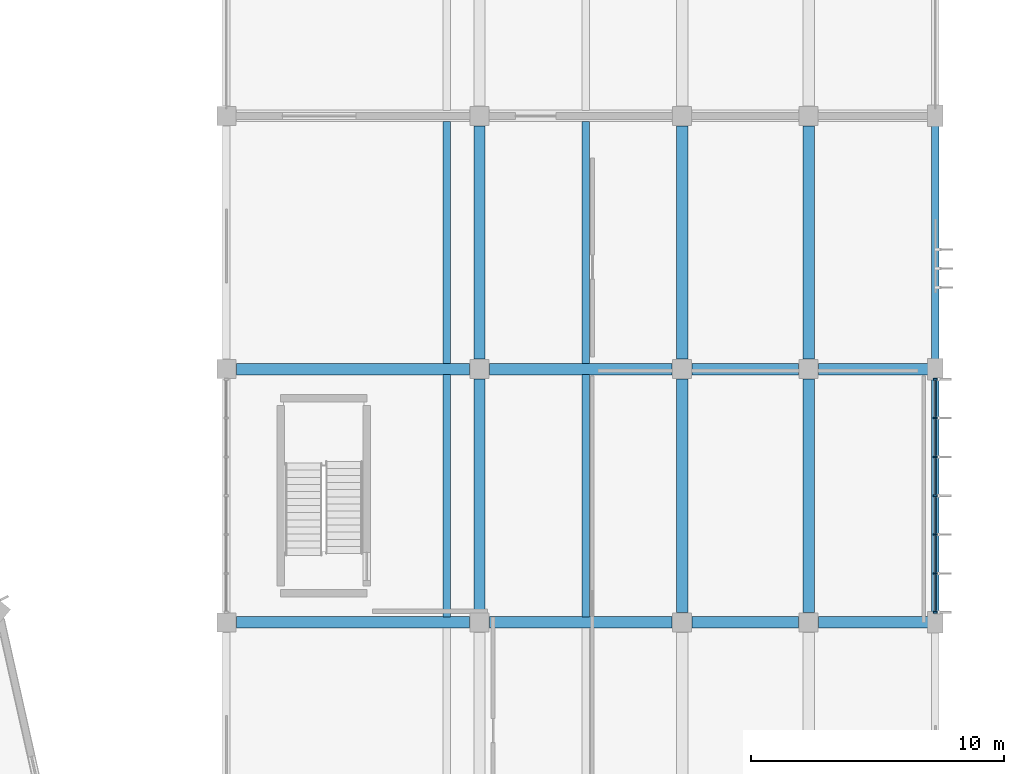
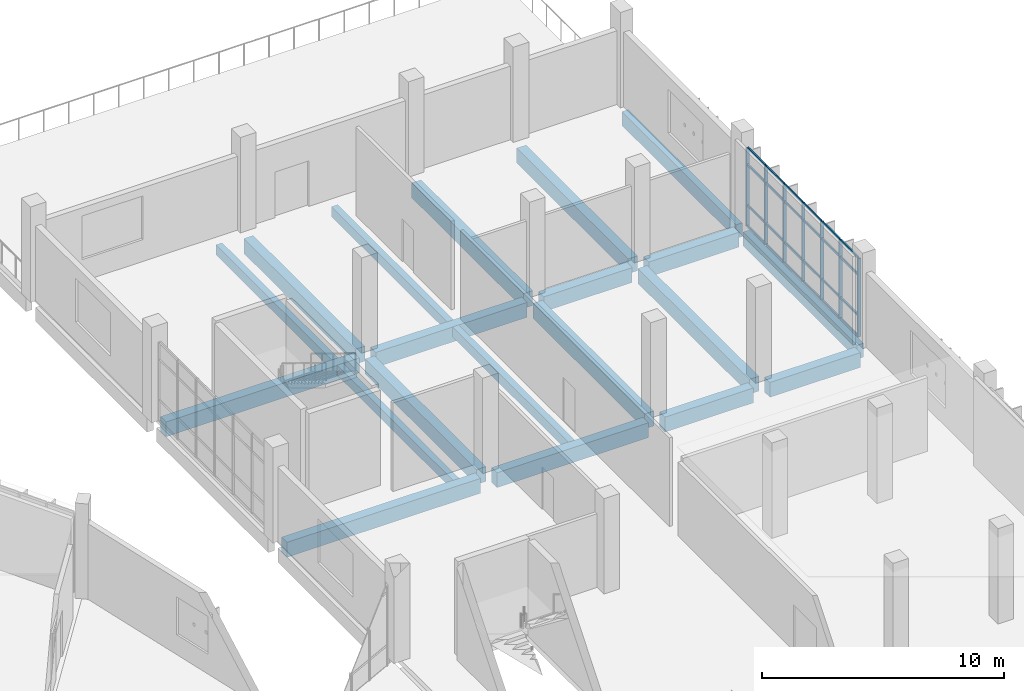
# One storey, part 76 of 179: 31 members, 20 beams, 1 element without a shape of its own.
"""IFC4 building model written with IfcOpenShell, lengths in metres."""

from ifc_helpers import new_model, si_unit, direction, frame, origin, origin_2d, place, context, subcontext, project, spatial, rectangle, extrude, material, layer, layer_set, material_profile, profile_set, type_object, element, aggregate, save


model = new_model("IFC4")

# Units and contexts
model_context = context("Model", 3, precision=1e-05, world=origin(), true_north=direction((0.0, 1.0)))
body_context = subcontext(model_context, "Body", "Model", "MODEL_VIEW")
ifc_project = project(units=[si_unit("LENGTHUNIT", "METRE"), si_unit("AREAUNIT", "SQUARE_METRE"), si_unit("VOLUMEUNIT", "CUBIC_METRE"), si_unit("PLANEANGLEUNIT", "RADIAN"), si_unit("MASSUNIT", "GRAM", prefix="KILO")], contexts=[model_context])

# Site, building, storey
site_placement = place(None, origin())
site = spatial("IfcSite", under=ifc_project, at=site_placement, CompositionType="ELEMENT")
building_placement = place(site_placement, origin())
building = spatial("IfcBuilding", under=site, at=building_placement, Name="Corvandel Quay Wholesale Market", CompositionType="ELEMENT")
storey_placement = place(building_placement, frame((0.0, 0.0, 6.0)))
storey = spatial("IfcBuildingStorey", under=building, at=storey_placement, Name="L01", CompositionType="ELEMENT", Elevation=6.0)

# Curtain wall, members
ifc_material_1 = material(Name="Bronze anodised aluminium and low-E insulated glazing", Category="aluminium")
ifc_layer = layer(ifc_material_1, 0.14990234375)
ifc_layer_set = layer_set([ifc_layer], Name="Bronze anodised aluminium and low-E insulated glazing")
curtain_wall_type = type_object("IfcCurtainWallType", Name="Stick Curtain Wall System CW20 H4800", PredefinedType="NOTDEFINED", material=ifc_layer_set)
curtain_wall_placement = place(storey_placement, origin())
curtain_wall = element("IfcCurtainWall", 1, at=curtain_wall_placement, inside=storey, type_object=curtain_wall_type, Name="Curtain Wall CW-0154", PredefinedType="NOTDEFINED")
ifc_material_2 = material(Name="Anodised aluminium 6063-T6", Category="aluminium")
ifc_material_profile_1 = material_profile(ifc_material_2, rectangle(XDim=0.06494140625, YDim=0.14990234375, at=origin_2d()), Name="ALU-MUL-65x150")
ifc_profile_set_1 = profile_set([ifc_material_profile_1], Name="Anodised aluminium 6063-T6")
member_type_1 = type_object("IfcMemberType", Name="Curtain Wall Mullion ML02 65x150", PredefinedType="MULLION", material=ifc_profile_set_1)
member_1_placement = place(storey_placement, frame((248.0, 80.39990234375, 0.0), z_axis=(0.0, 0.0, 1.0), x_axis=(0.0, 1.0, 0.0)))
member_1 = element("IfcMember", 2, at=member_1_placement, type_object=member_type_1, Name="Mullion CW-0154-M00", PredefinedType="MULLION", context=body_context, shape_type="SweptSolid", body=[
    extrude(rectangle(XDim=0.06494140625, YDim=0.14990234375, at=origin_2d()), origin(), (0.0, 0.0, 1.0), 3.949951171875),
])
member_2_placement = place(storey_placement, frame((248.0, 81.933349609375, 0.0), z_axis=(0.0, 0.0, 1.0), x_axis=(0.0, 1.0, 0.0)))
member_2 = element("IfcMember", 3, at=member_2_placement, type_object=member_type_1, Name="Mullion CW-0154-M01", PredefinedType="MULLION", context=body_context, shape_type="SweptSolid", body=[
    extrude(rectangle(XDim=0.06494140625, YDim=0.14990234375, at=origin_2d()), origin(), (0.0, 0.0, 1.0), 3.949951171875),
])
member_3_placement = place(storey_placement, frame((248.0, 83.466796875, 0.0), z_axis=(0.0, 0.0, 1.0), x_axis=(0.0, 1.0, 0.0)))
member_3 = element("IfcMember", 4, at=member_3_placement, type_object=member_type_1, Name="Mullion CW-0154-M02", PredefinedType="MULLION", context=body_context, shape_type="SweptSolid", body=[
    extrude(rectangle(XDim=0.06494140625, YDim=0.14990234375, at=origin_2d()), origin(), (0.0, 0.0, 1.0), 3.949951171875),
])
member_4_placement = place(storey_placement, frame((248.0, 85.0, 0.0), z_axis=(0.0, 0.0, 1.0), x_axis=(0.0, 1.0, 0.0)))
member_4 = element("IfcMember", 5, at=member_4_placement, type_object=member_type_1, Name="Mullion CW-0154-M03", PredefinedType="MULLION", context=body_context, shape_type="SweptSolid", body=[
    extrude(rectangle(XDim=0.06494140625, YDim=0.14990234375, at=origin_2d()), origin(), (0.0, 0.0, 1.0), 3.949951171875),
])
member_5_placement = place(storey_placement, frame((248.0, 86.533203125, 0.0), z_axis=(0.0, 0.0, 1.0), x_axis=(0.0, 1.0, 0.0)))
member_5 = element("IfcMember", 6, at=member_5_placement, type_object=member_type_1, Name="Mullion CW-0154-M04", PredefinedType="MULLION", context=body_context, shape_type="SweptSolid", body=[
    extrude(rectangle(XDim=0.06494140625, YDim=0.14990234375, at=origin_2d()), origin(), (0.0, 0.0, 1.0), 3.949951171875),
])
member_6_placement = place(storey_placement, frame((248.0, 88.066650390625, 0.0), z_axis=(0.0, 0.0, 1.0), x_axis=(0.0, 1.0, 0.0)))
member_6 = element("IfcMember", 7, at=member_6_placement, type_object=member_type_1, Name="Mullion CW-0154-M05", PredefinedType="MULLION", context=body_context, shape_type="SweptSolid", body=[
    extrude(rectangle(XDim=0.06494140625, YDim=0.14990234375, at=origin_2d()), origin(), (0.0, 0.0, 1.0), 3.949951171875),
])
member_7_placement = place(storey_placement, frame((248.0, 89.60009765625, 0.0), z_axis=(0.0, 0.0, 1.0), x_axis=(0.0, 1.0, 0.0)))
member_7 = element("IfcMember", 8, at=member_7_placement, type_object=member_type_1, Name="Mullion CW-0154-M06", PredefinedType="MULLION", context=body_context, shape_type="SweptSolid", body=[
    extrude(rectangle(XDim=0.06494140625, YDim=0.14990234375, at=origin_2d()), origin(), (0.0, 0.0, 1.0), 3.949951171875),
])
ifc_material_profile_2 = material_profile(ifc_material_2, rectangle(XDim=0.06005859375, YDim=0.110107421875, at=origin_2d()), Name="ALU-TRN-60x110")
ifc_profile_set_2 = profile_set([ifc_material_profile_2], Name="Anodised aluminium 6063-T6")
member_type_2 = type_object("IfcMemberType", Name="Curtain Wall Transom TR02 60x110", PredefinedType="USERDEFINED", material=ifc_profile_set_2)
member_8_placement = place(storey_placement, frame((248.0, 80.4326171875, 0.0), z_axis=(0.0, 1.0, 0.0), x_axis=(-1.0, 0.0, 0.0)))
member_8 = element("IfcMember", 9, at=member_8_placement, type_object=member_type_2, Name="Transom CW-0154-T00-0", ObjectType="TRANSOM", PredefinedType="USERDEFINED", context=body_context, shape_type="SweptSolid", body=[
    extrude(rectangle(XDim=0.06005859375, YDim=0.110107421875, at=origin_2d()), origin(), (0.0, 0.0, 1.0), 1.46826171875),
])
member_9_placement = place(storey_placement, frame((248.0, 80.4326171875, 1.050048828125), z_axis=(0.0, 1.0, 0.0), x_axis=(-1.0, 0.0, 0.0)))
member_9 = element("IfcMember", 10, at=member_9_placement, type_object=member_type_2, Name="Transom CW-0154-T00-1", ObjectType="TRANSOM", PredefinedType="USERDEFINED", context=body_context, shape_type="SweptSolid", body=[
    extrude(rectangle(XDim=0.06005859375, YDim=0.110107421875, at=origin_2d()), origin(), (0.0, 0.0, 1.0), 1.46826171875),
])
member_10_placement = place(storey_placement, frame((248.0, 80.4326171875, 3.10009765625), z_axis=(0.0, 1.0, 0.0), x_axis=(-1.0, 0.0, 0.0)))
member_10 = element("IfcMember", 11, at=member_10_placement, type_object=member_type_2, Name="Transom CW-0154-T00-2", ObjectType="TRANSOM", PredefinedType="USERDEFINED", context=body_context, shape_type="SweptSolid", body=[
    extrude(rectangle(XDim=0.06005859375, YDim=0.110107421875, at=origin_2d()), origin(), (0.0, 0.0, 1.0), 1.46826171875),
])
member_11_placement = place(storey_placement, frame((248.0, 80.4326171875, 3.949951171875), z_axis=(0.0, 1.0, 0.0), x_axis=(-1.0, 0.0, 0.0)))
member_11 = element("IfcMember", 12, at=member_11_placement, type_object=member_type_2, Name="Transom CW-0154-T00-3", ObjectType="TRANSOM", PredefinedType="USERDEFINED", context=body_context, shape_type="SweptSolid", body=[
    extrude(rectangle(XDim=0.06005859375, YDim=0.110107421875, at=origin_2d()), origin(), (0.0, 0.0, 1.0), 1.46826171875),
])
member_12_placement = place(storey_placement, frame((248.0, 81.9658203125, 0.0), z_axis=(0.0, 1.0, 0.0), x_axis=(-1.0, 0.0, 0.0)))
member_12 = element("IfcMember", 13, at=member_12_placement, type_object=member_type_2, Name="Transom CW-0154-T01-0", ObjectType="TRANSOM", PredefinedType="USERDEFINED", context=body_context, shape_type="SweptSolid", body=[
    extrude(rectangle(XDim=0.06005859375, YDim=0.110107421875, at=origin_2d()), origin(), (0.0, 0.0, 1.0), 1.46826171875),
])
member_13_placement = place(storey_placement, frame((248.0, 81.9658203125, 1.050048828125), z_axis=(0.0, 1.0, 0.0), x_axis=(-1.0, 0.0, 0.0)))
member_13 = element("IfcMember", 14, at=member_13_placement, type_object=member_type_2, Name="Transom CW-0154-T01-1", ObjectType="TRANSOM", PredefinedType="USERDEFINED", context=body_context, shape_type="SweptSolid", body=[
    extrude(rectangle(XDim=0.06005859375, YDim=0.110107421875, at=origin_2d()), origin(), (0.0, 0.0, 1.0), 1.46826171875),
])
member_14_placement = place(storey_placement, frame((248.0, 81.9658203125, 3.10009765625), z_axis=(0.0, 1.0, 0.0), x_axis=(-1.0, 0.0, 0.0)))
member_14 = element("IfcMember", 15, at=member_14_placement, type_object=member_type_2, Name="Transom CW-0154-T01-2", ObjectType="TRANSOM", PredefinedType="USERDEFINED", context=body_context, shape_type="SweptSolid", body=[
    extrude(rectangle(XDim=0.06005859375, YDim=0.110107421875, at=origin_2d()), origin(), (0.0, 0.0, 1.0), 1.46826171875),
])
member_15_placement = place(storey_placement, frame((248.0, 81.9658203125, 3.949951171875), z_axis=(0.0, 1.0, 0.0), x_axis=(-1.0, 0.0, 0.0)))
member_15 = element("IfcMember", 16, at=member_15_placement, type_object=member_type_2, Name="Transom CW-0154-T01-3", ObjectType="TRANSOM", PredefinedType="USERDEFINED", context=body_context, shape_type="SweptSolid", body=[
    extrude(rectangle(XDim=0.06005859375, YDim=0.110107421875, at=origin_2d()), origin(), (0.0, 0.0, 1.0), 1.46826171875),
])
member_16_placement = place(storey_placement, frame((248.0, 83.499267578125, 0.0), z_axis=(0.0, 1.0, 0.0), x_axis=(-1.0, 0.0, 0.0)))
member_16 = element("IfcMember", 17, at=member_16_placement, type_object=member_type_2, Name="Transom CW-0154-T02-0", ObjectType="TRANSOM", PredefinedType="USERDEFINED", context=body_context, shape_type="SweptSolid", body=[
    extrude(rectangle(XDim=0.06005859375, YDim=0.110107421875, at=origin_2d()), origin(), (0.0, 0.0, 1.0), 1.46826171875),
])
member_17_placement = place(storey_placement, frame((248.0, 83.499267578125, 1.050048828125), z_axis=(0.0, 1.0, 0.0), x_axis=(-1.0, 0.0, 0.0)))
member_17 = element("IfcMember", 18, at=member_17_placement, type_object=member_type_2, Name="Transom CW-0154-T02-1", ObjectType="TRANSOM", PredefinedType="USERDEFINED", context=body_context, shape_type="SweptSolid", body=[
    extrude(rectangle(XDim=0.06005859375, YDim=0.110107421875, at=origin_2d()), origin(), (0.0, 0.0, 1.0), 1.46826171875),
])
member_18_placement = place(storey_placement, frame((248.0, 83.499267578125, 3.10009765625), z_axis=(0.0, 1.0, 0.0), x_axis=(-1.0, 0.0, 0.0)))
member_18 = element("IfcMember", 19, at=member_18_placement, type_object=member_type_2, Name="Transom CW-0154-T02-2", ObjectType="TRANSOM", PredefinedType="USERDEFINED", context=body_context, shape_type="SweptSolid", body=[
    extrude(rectangle(XDim=0.06005859375, YDim=0.110107421875, at=origin_2d()), origin(), (0.0, 0.0, 1.0), 1.46826171875),
])
member_19_placement = place(storey_placement, frame((248.0, 83.499267578125, 3.949951171875), z_axis=(0.0, 1.0, 0.0), x_axis=(-1.0, 0.0, 0.0)))
member_19 = element("IfcMember", 20, at=member_19_placement, type_object=member_type_2, Name="Transom CW-0154-T02-3", ObjectType="TRANSOM", PredefinedType="USERDEFINED", context=body_context, shape_type="SweptSolid", body=[
    extrude(rectangle(XDim=0.06005859375, YDim=0.110107421875, at=origin_2d()), origin(), (0.0, 0.0, 1.0), 1.46826171875),
])
member_20_placement = place(storey_placement, frame((248.0, 85.032470703125, 0.0), z_axis=(0.0, 1.0, 0.0), x_axis=(-1.0, 0.0, 0.0)))
member_20 = element("IfcMember", 21, at=member_20_placement, type_object=member_type_2, Name="Transom CW-0154-T03-0", ObjectType="TRANSOM", PredefinedType="USERDEFINED", context=body_context, shape_type="SweptSolid", body=[
    extrude(rectangle(XDim=0.06005859375, YDim=0.110107421875, at=origin_2d()), origin(), (0.0, 0.0, 1.0), 1.46826171875),
])
member_21_placement = place(storey_placement, frame((248.0, 85.032470703125, 1.050048828125), z_axis=(0.0, 1.0, 0.0), x_axis=(-1.0, 0.0, 0.0)))
member_21 = element("IfcMember", 22, at=member_21_placement, type_object=member_type_2, Name="Transom CW-0154-T03-1", ObjectType="TRANSOM", PredefinedType="USERDEFINED", context=body_context, shape_type="SweptSolid", body=[
    extrude(rectangle(XDim=0.06005859375, YDim=0.110107421875, at=origin_2d()), origin(), (0.0, 0.0, 1.0), 1.46826171875),
])
member_22_placement = place(storey_placement, frame((248.0, 85.032470703125, 3.10009765625), z_axis=(0.0, 1.0, 0.0), x_axis=(-1.0, 0.0, 0.0)))
member_22 = element("IfcMember", 23, at=member_22_placement, type_object=member_type_2, Name="Transom CW-0154-T03-2", ObjectType="TRANSOM", PredefinedType="USERDEFINED", context=body_context, shape_type="SweptSolid", body=[
    extrude(rectangle(XDim=0.06005859375, YDim=0.110107421875, at=origin_2d()), origin(), (0.0, 0.0, 1.0), 1.46826171875),
])
member_23_placement = place(storey_placement, frame((248.0, 85.032470703125, 3.949951171875), z_axis=(0.0, 1.0, 0.0), x_axis=(-1.0, 0.0, 0.0)))
member_23 = element("IfcMember", 24, at=member_23_placement, type_object=member_type_2, Name="Transom CW-0154-T03-3", ObjectType="TRANSOM", PredefinedType="USERDEFINED", context=body_context, shape_type="SweptSolid", body=[
    extrude(rectangle(XDim=0.06005859375, YDim=0.110107421875, at=origin_2d()), origin(), (0.0, 0.0, 1.0), 1.46826171875),
])
member_24_placement = place(storey_placement, frame((248.0, 86.56591796875, 0.0), z_axis=(0.0, 1.0, 0.0), x_axis=(-1.0, 0.0, 0.0)))
member_24 = element("IfcMember", 25, at=member_24_placement, type_object=member_type_2, Name="Transom CW-0154-T04-0", ObjectType="TRANSOM", PredefinedType="USERDEFINED", context=body_context, shape_type="SweptSolid", body=[
    extrude(rectangle(XDim=0.06005859375, YDim=0.110107421875, at=origin_2d()), origin(), (0.0, 0.0, 1.0), 1.46826171875),
])
member_25_placement = place(storey_placement, frame((248.0, 86.56591796875, 1.050048828125), z_axis=(0.0, 1.0, 0.0), x_axis=(-1.0, 0.0, 0.0)))
member_25 = element("IfcMember", 26, at=member_25_placement, type_object=member_type_2, Name="Transom CW-0154-T04-1", ObjectType="TRANSOM", PredefinedType="USERDEFINED", context=body_context, shape_type="SweptSolid", body=[
    extrude(rectangle(XDim=0.06005859375, YDim=0.110107421875, at=origin_2d()), origin(), (0.0, 0.0, 1.0), 1.46826171875),
])
member_26_placement = place(storey_placement, frame((248.0, 86.56591796875, 3.10009765625), z_axis=(0.0, 1.0, 0.0), x_axis=(-1.0, 0.0, 0.0)))
member_26 = element("IfcMember", 27, at=member_26_placement, type_object=member_type_2, Name="Transom CW-0154-T04-2", ObjectType="TRANSOM", PredefinedType="USERDEFINED", context=body_context, shape_type="SweptSolid", body=[
    extrude(rectangle(XDim=0.06005859375, YDim=0.110107421875, at=origin_2d()), origin(), (0.0, 0.0, 1.0), 1.46826171875),
])
member_27_placement = place(storey_placement, frame((248.0, 86.56591796875, 3.949951171875), z_axis=(0.0, 1.0, 0.0), x_axis=(-1.0, 0.0, 0.0)))
member_27 = element("IfcMember", 28, at=member_27_placement, type_object=member_type_2, Name="Transom CW-0154-T04-3", ObjectType="TRANSOM", PredefinedType="USERDEFINED", context=body_context, shape_type="SweptSolid", body=[
    extrude(rectangle(XDim=0.06005859375, YDim=0.110107421875, at=origin_2d()), origin(), (0.0, 0.0, 1.0), 1.46826171875),
])
member_28_placement = place(storey_placement, frame((248.0, 88.09912109375, 0.0), z_axis=(0.0, 1.0, 0.0), x_axis=(-1.0, 0.0, 0.0)))
member_28 = element("IfcMember", 29, at=member_28_placement, type_object=member_type_2, Name="Transom CW-0154-T05-0", ObjectType="TRANSOM", PredefinedType="USERDEFINED", context=body_context, shape_type="SweptSolid", body=[
    extrude(rectangle(XDim=0.06005859375, YDim=0.110107421875, at=origin_2d()), origin(), (0.0, 0.0, 1.0), 1.46826171875),
])
member_29_placement = place(storey_placement, frame((248.0, 88.09912109375, 1.050048828125), z_axis=(0.0, 1.0, 0.0), x_axis=(-1.0, 0.0, 0.0)))
member_29 = element("IfcMember", 30, at=member_29_placement, type_object=member_type_2, Name="Transom CW-0154-T05-1", ObjectType="TRANSOM", PredefinedType="USERDEFINED", context=body_context, shape_type="SweptSolid", body=[
    extrude(rectangle(XDim=0.06005859375, YDim=0.110107421875, at=origin_2d()), origin(), (0.0, 0.0, 1.0), 1.46826171875),
])
member_30_placement = place(storey_placement, frame((248.0, 88.09912109375, 3.10009765625), z_axis=(0.0, 1.0, 0.0), x_axis=(-1.0, 0.0, 0.0)))
member_30 = element("IfcMember", 31, at=member_30_placement, type_object=member_type_2, Name="Transom CW-0154-T05-2", ObjectType="TRANSOM", PredefinedType="USERDEFINED", context=body_context, shape_type="SweptSolid", body=[
    extrude(rectangle(XDim=0.06005859375, YDim=0.110107421875, at=origin_2d()), origin(), (0.0, 0.0, 1.0), 1.46826171875),
])
member_31_placement = place(storey_placement, frame((248.0, 88.09912109375, 3.949951171875), z_axis=(0.0, 1.0, 0.0), x_axis=(-1.0, 0.0, 0.0)))
member_31 = element("IfcMember", 32, at=member_31_placement, type_object=member_type_2, Name="Transom CW-0154-T05-3", ObjectType="TRANSOM", PredefinedType="USERDEFINED", context=body_context, shape_type="SweptSolid", body=[
    extrude(rectangle(XDim=0.06005859375, YDim=0.110107421875, at=origin_2d()), origin(), (0.0, 0.0, 1.0), 1.46826171875),
])
aggregate(curtain_wall, [member_1, member_2, member_3, member_4, member_5, member_6, member_7, member_8, member_9, member_10, member_11, member_12, member_13, member_14, member_15, member_16, member_17, member_18, member_19, member_20, member_21, member_22, member_23, member_24, member_25, member_26, member_27, member_28, member_29, member_30, member_31])

# Beams
ifc_material_3 = material(Name="Precast concrete C45/55", Category="concrete")
ifc_material_profile_3 = material_profile(ifc_material_3, rectangle(XDim=0.300048828125, YDim=0.5, at=origin_2d()), Name="PC-BM-300x500")
ifc_profile_set_3 = profile_set([ifc_material_profile_3], Name="Precast concrete C45/55")
beam_type_1 = type_object("IfcBeamType", Name="Office Floor Secondary Beam B04 300x500", PredefinedType="BEAM", material=ifc_profile_set_3)
for number, where, z_axis, x_axis, name in (
    (33, (228.699951171875, 80.215087890625, -0.570068359375), (0.0, 1.0, 0.0), (-1.0, 0.0, 0.0), "Beam BM-1503"),
    (34, (234.199951171875, 80.215087890625, -0.570068359375), (0.0, 1.0, 0.0), (-1.0, 0.0, 0.0), "Beam BM-1504"),
    (35, (228.699951171875, 90.215087890625, -0.570068359375), (0.0, 1.0, 0.0), (-1.0, 0.0, 0.0), "Beam BM-1505"),
    (36, (234.199951171875, 90.215087890625, -0.570068359375), (0.0, 1.0, 0.0), (-1.0, 0.0, 0.0), "Beam BM-1506"),
):
    element("IfcBeam", number, at=place(storey_placement, frame(where, z_axis=z_axis, x_axis=x_axis)), inside=storey, type_object=beam_type_1, Name=name, PredefinedType="BEAM", context=body_context, shape_type="SweptSolid", body=[
        extrude(rectangle(XDim=0.300048828125, YDim=0.5, at=origin_2d()), origin(), (0.0, 0.0, 1.0), 9.56982421875),
    ])
ifc_material_profile_4 = material_profile(ifc_material_3, rectangle(XDim=0.300048828125, YDim=0.699951171875, at=origin_2d()), Name="PC-SPN-300x700")
ifc_profile_set_4 = profile_set([ifc_material_profile_4], Name="Precast concrete C45/55")
beam_type_2 = type_object("IfcBeamType", Name="Terrace Edge Spandrel SP03 300x700", PredefinedType="SPANDREL", material=ifc_profile_set_4)
for number, where, z_axis, x_axis, name in (
    (37, (248.0, 80.294921875, -0.669921875), (0.0, 1.0, 0.0), (-1.0, 0.0, 0.0), "Beam BM-1486"),
    (38, (248.0, 90.294921875, -0.669921875), (0.0, 1.0, 0.0), (-1.0, 0.0, 0.0), "Beam BM-1487"),
):
    element("IfcBeam", number, at=place(storey_placement, frame(where, z_axis=z_axis, x_axis=x_axis)), inside=storey, type_object=beam_type_2, Name=name, PredefinedType="SPANDREL", context=body_context, shape_type="SweptSolid", body=[
        extrude(rectangle(XDim=0.300048828125, YDim=0.699951171875, at=origin_2d()), origin(), (0.0, 0.0, 1.0), 9.41015625),
    ])
ifc_material_profile_5 = material_profile(ifc_material_3, rectangle(XDim=0.449951171875, YDim=0.75, at=origin_2d()), Name="PC-GIR-450x750")
ifc_profile_set_5 = profile_set([ifc_material_profile_5], Name="Precast concrete C45/55")
beam_type_3 = type_object("IfcBeamType", Name="Waterfront Office Girder G06 450x750", PredefinedType="USERDEFINED", material=ifc_profile_set_5)
beam_1_placement = place(storey_placement, frame((220.39501953125, 80.0, -0.695068359375), z_axis=(1.0, 0.0, 0.0), x_axis=(0.0, 1.0, 0.0)))
element("IfcBeam", 39, at=beam_1_placement, inside=storey, type_object=beam_type_3, Name="Beam BM-1423", ObjectType="GIRDER", PredefinedType="USERDEFINED", context=body_context, shape_type="SweptSolid", body=[
    extrude(rectangle(XDim=0.449951171875, YDim=0.75, at=origin_2d()), origin(), (0.0, 0.0, 1.0), 9.2099609375),
])
beam_2_placement = place(storey_placement, frame((230.39501953125, 80.0, -0.695068359375), z_axis=(1.0, 0.0, 0.0), x_axis=(0.0, 1.0, 0.0)))
element("IfcBeam", 40, at=beam_2_placement, inside=storey, type_object=beam_type_3, Name="Beam BM-1424", ObjectType="GIRDER", PredefinedType="USERDEFINED", context=body_context, shape_type="SweptSolid", body=[
    extrude(rectangle(XDim=0.449951171875, YDim=0.75, at=origin_2d()), origin(), (0.0, 0.0, 1.0), 7.2099609375),
])
beam_3_placement = place(storey_placement, frame((238.39501953125, 80.0, -0.695068359375), z_axis=(1.0, 0.0, 0.0), x_axis=(0.0, 1.0, 0.0)))
element("IfcBeam", 41, at=beam_3_placement, inside=storey, type_object=beam_type_3, Name="Beam BM-1425", ObjectType="GIRDER", PredefinedType="USERDEFINED", context=body_context, shape_type="SweptSolid", body=[
    extrude(rectangle(XDim=0.449951171875, YDim=0.75, at=origin_2d()), origin(), (0.0, 0.0, 1.0), 4.2099609375),
])
beam_4_placement = place(storey_placement, frame((243.39501953125, 80.0, -0.695068359375), z_axis=(1.0, 0.0, 0.0), x_axis=(0.0, 1.0, 0.0)))
element("IfcBeam", 42, at=beam_4_placement, inside=storey, type_object=beam_type_3, Name="Beam BM-1426", ObjectType="GIRDER", PredefinedType="USERDEFINED", context=body_context, shape_type="SweptSolid", body=[
    extrude(rectangle(XDim=0.449951171875, YDim=0.75, at=origin_2d()), origin(), (0.0, 0.0, 1.0), 4.31005859375),
])
beam_5_placement = place(storey_placement, frame((220.39501953125, 90.0, -0.695068359375), z_axis=(1.0, 0.0, 0.0), x_axis=(0.0, 1.0, 0.0)))
element("IfcBeam", 43, at=beam_5_placement, inside=storey, type_object=beam_type_3, Name="Beam BM-1427", ObjectType="GIRDER", PredefinedType="USERDEFINED", context=body_context, shape_type="SweptSolid", body=[
    extrude(rectangle(XDim=0.449951171875, YDim=0.75, at=origin_2d()), origin(), (0.0, 0.0, 1.0), 9.2099609375),
])
beam_6_placement = place(storey_placement, frame((230.39501953125, 90.0, -0.695068359375), z_axis=(1.0, 0.0, 0.0), x_axis=(0.0, 1.0, 0.0)))
element("IfcBeam", 44, at=beam_6_placement, inside=storey, type_object=beam_type_3, Name="Beam BM-1428", ObjectType="GIRDER", PredefinedType="USERDEFINED", context=body_context, shape_type="SweptSolid", body=[
    extrude(rectangle(XDim=0.449951171875, YDim=0.75, at=origin_2d()), origin(), (0.0, 0.0, 1.0), 7.2099609375),
])
beam_7_placement = place(storey_placement, frame((238.39501953125, 90.0, -0.695068359375), z_axis=(1.0, 0.0, 0.0), x_axis=(0.0, 1.0, 0.0)))
element("IfcBeam", 45, at=beam_7_placement, inside=storey, type_object=beam_type_3, Name="Beam BM-1429", ObjectType="GIRDER", PredefinedType="USERDEFINED", context=body_context, shape_type="SweptSolid", body=[
    extrude(rectangle(XDim=0.449951171875, YDim=0.75, at=origin_2d()), origin(), (0.0, 0.0, 1.0), 4.2099609375),
])
beam_8_placement = place(storey_placement, frame((243.39501953125, 90.0, -0.695068359375), z_axis=(1.0, 0.0, 0.0), x_axis=(0.0, 1.0, 0.0)))
element("IfcBeam", 46, at=beam_8_placement, inside=storey, type_object=beam_type_3, Name="Beam BM-1430", ObjectType="GIRDER", PredefinedType="USERDEFINED", context=body_context, shape_type="SweptSolid", body=[
    extrude(rectangle(XDim=0.449951171875, YDim=0.75, at=origin_2d()), origin(), (0.0, 0.0, 1.0), 4.31005859375),
])
for number, where, z_axis, x_axis, name in (
    (47, (230.0, 80.39501953125, -0.695068359375), (0.0, 1.0, 0.0), (-1.0, 0.0, 0.0), "Beam BM-1456"),
    (48, (230.0, 90.39501953125, -0.695068359375), (0.0, 1.0, 0.0), (-1.0, 0.0, 0.0), "Beam BM-1457"),
    (49, (238.0, 80.39501953125, -0.695068359375), (0.0, 1.0, 0.0), (-1.0, 0.0, 0.0), "Beam BM-1466"),
    (50, (238.0, 90.39501953125, -0.695068359375), (0.0, 1.0, 0.0), (-1.0, 0.0, 0.0), "Beam BM-1467"),
    (51, (243.0, 80.39501953125, -0.695068359375), (0.0, 1.0, 0.0), (-1.0, 0.0, 0.0), "Beam BM-1476"),
    (52, (243.0, 90.39501953125, -0.695068359375), (0.0, 1.0, 0.0), (-1.0, 0.0, 0.0), "Beam BM-1477"),
):
    element("IfcBeam", number, at=place(storey_placement, frame(where, z_axis=z_axis, x_axis=x_axis)), inside=storey, type_object=beam_type_3, Name=name, ObjectType="GIRDER", PredefinedType="USERDEFINED", context=body_context, shape_type="SweptSolid", body=[
        extrude(rectangle(XDim=0.449951171875, YDim=0.75, at=origin_2d()), origin(), (0.0, 0.0, 1.0), 9.2099609375),
    ])

save(model, "model.ifc")
